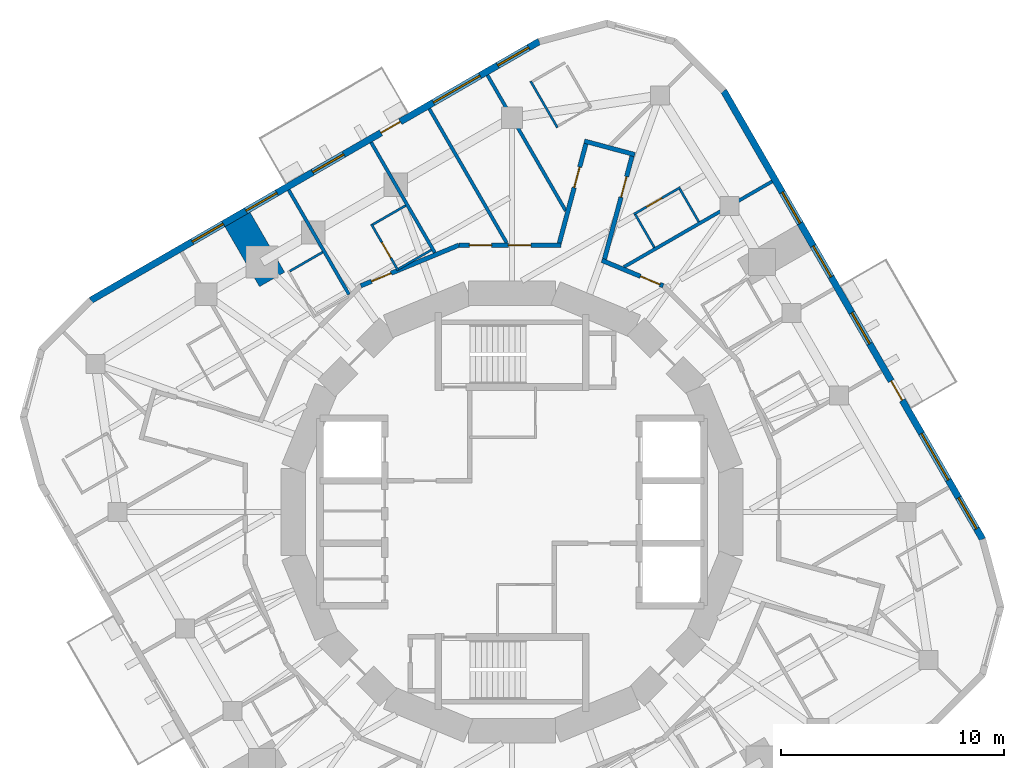
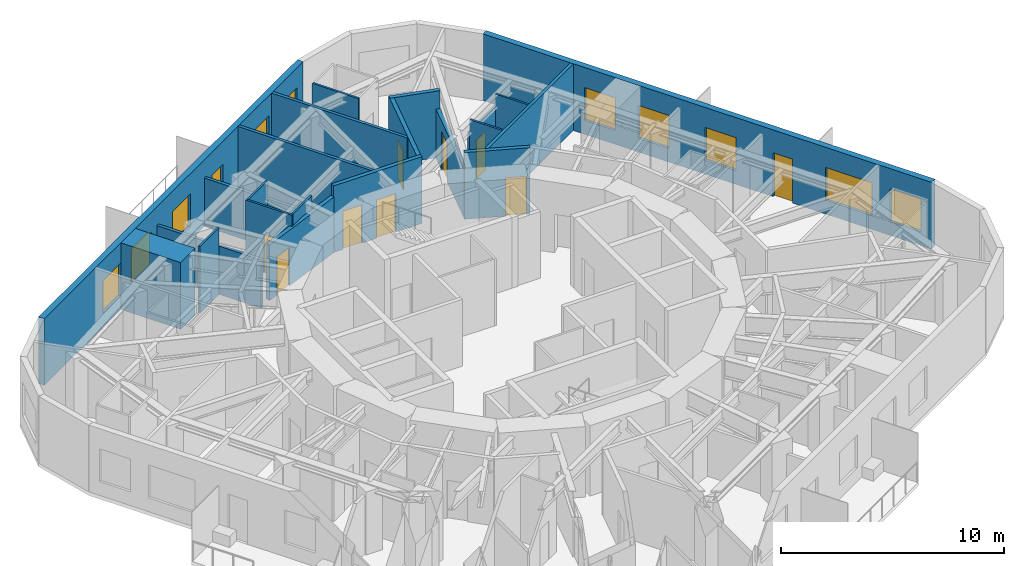
# One storey, part 8 of 11: 22 walls, 10 doors, 10 windows, 20 openings.
"""IFC4 building model written with IfcOpenShell, lengths in metres."""

from ifc_helpers import new_model, si_unit, direction, frame, frame_2d, origin, place, context, subcontext, project, spatial, rectangle, extrude, material, layer, layer_set, type_object, element, fill, save


model = new_model("IFC4")

# Units and contexts
model_context = context("Model", 3, precision=1e-05, world=origin(), true_north=direction((0.0, 1.0)))
body_context = subcontext(model_context, "Body", "Model", "MODEL_VIEW")
ifc_project = project(units=[si_unit("LENGTHUNIT", "METRE"), si_unit("AREAUNIT", "SQUARE_METRE"), si_unit("VOLUMEUNIT", "CUBIC_METRE"), si_unit("PLANEANGLEUNIT", "RADIAN"), si_unit("MASSUNIT", "GRAM", prefix="KILO")], contexts=[model_context])

# Site, building, storey
site_placement = place(None, origin())
site = spatial("IfcSite", under=ifc_project, at=site_placement, CompositionType="ELEMENT")
building_placement = place(site_placement, origin())
building = spatial("IfcBuilding", under=site, at=building_placement, Name="Nakasero Lantern House", CompositionType="ELEMENT")
storey_placement = place(building_placement, frame((0.0, 0.0, 253.89990234375)))
storey = spatial("IfcBuildingStorey", under=building, at=storey_placement, Name="L62", CompositionType="ELEMENT", Elevation=253.89990234375)

# Wall
ifc_material_1 = material(Name="Blockwork", Category="masonry")
ifc_layer_1 = layer(ifc_material_1, 1.300048828125)
ifc_layer_set_1 = layer_set([ifc_layer_1], Name="Column pier 1300")
wall_type_1 = type_object("IfcWallType", Name="Column pier 1300", PredefinedType="PARTITIONING", material=ifc_layer_set_1)
wall_1_placement = place(storey_placement, frame((-10.75048828125, 10.4208984375, 0.0), z_axis=(0.0, 0.0, 1.0), x_axis=(-0.499933790963, 0.866063626216, 0.0)))
element("IfcWall", 1, at=wall_1_placement, inside=storey, type_object=wall_type_1, Name="Column pier L62 PN1-05", PredefinedType="PARTITIONING", context=body_context, shape_type="SweptSolid", body=[
    extrude(rectangle(XDim=3.10009765625, YDim=1.300048828125, at=frame_2d((1.550048828125, 0.0))), origin(), (0.0, 0.0, 1.0), 3.650146484375),
])

# Wall, opening, door
ifc_material_2 = material(Name="Blockwork", Category="masonry")
ifc_layer_2 = layer(ifc_material_2, 0.199951171875)
ifc_layer_set_2 = layer_set([ifc_layer_2], Name="Corridor wall 200")
wall_type_2 = type_object("IfcWallType", Name="Corridor wall 200", PredefinedType="PARTITIONING", material=ifc_layer_set_2)
wall_2_placement = place(storey_placement, frame((-6.773681640625, 10.137451171875, 0.0), z_axis=(0.0, 0.0, 1.0), x_axis=(0.923891735412, 0.382653970627, 0.0)))
wall_2 = element("IfcWall", 2, at=wall_2_placement, inside=storey, type_object=wall_type_2, Name="Corridor wall L62 RC11a", PredefinedType="PARTITIONING", context=body_context, shape_type="SweptSolid", body=[
    extrude(rectangle(XDim=4.757080078125, YDim=0.199951171875, at=frame_2d((2.37841796875, 0.0))), origin(), (0.0, 0.0, 1.0), 3.037841796875),
])
opening_1_placement = place(wall_2_placement, frame((0.52001953125, 0.0, 0.0)))
opening_1 = element("IfcOpeningElement", 3, at=opening_1_placement, cuts=wall_2, Name="Opening D01", PredefinedType="OPENING", context=body_context, shape_type="SweptSolid", body=[
    extrude(rectangle(XDim=0.949951171875, YDim=2.10009765625, at=frame_2d((0.47509765625, 1.050048828125))), frame((0.0, 0.119873046875, 0.0), z_axis=(0.0, -1.0, 0.0), x_axis=(1.0, 0.0, 0.0)), (0.0, 0.0, 1.0), 0.239990234375),
])
ifc_material_3 = material(Name="Timber C24", Category="wood")
door_type_1 = type_object("IfcDoorType", Name="Bedroom door FD30S 950", OperationType="SINGLE_SWING_LEFT", PredefinedType="DOOR", material=ifc_material_3)
door_1_placement = place(opening_1_placement, origin())
door_1 = element("IfcDoor", 4, at=door_1_placement, inside=storey, type_object=door_type_1, Name="Door L62 D1-03", OperationType="SINGLE_SWING_LEFT", OverallHeight=2.10009765625, OverallWidth=0.949951171875, PredefinedType="DOOR", context=body_context, shape_type="SweptSolid", body=[
    extrude(rectangle(XDim=0.949951171875, YDim=2.10009765625, at=frame_2d((0.47509765625, 1.050048828125))), frame((0.0, 0.02490234375, 0.0), z_axis=(0.0, -1.0, 0.0), x_axis=(1.0, 0.0, 0.0)), (0.0, 0.0, 1.0), 0.050048828125),
])
fill(opening_1, door_1)

# Wall, openings, doors
wall_3_placement = place(storey_placement, frame((-2.378662109375, 11.957763671875, 0.0), z_axis=(0.0, 0.0, 1.0), x_axis=(1.0, 0.0, 0.0)))
wall_3 = element("IfcWall", 5, at=wall_3_placement, inside=storey, type_object=wall_type_2, Name="Corridor wall L62 RC12a", PredefinedType="PARTITIONING", context=body_context, shape_type="SweptSolid", body=[
    extrude(rectangle(XDim=4.57861328125, YDim=0.199951171875, at=frame_2d((2.289306640625, 0.0))), origin(), (0.0, 0.0, 1.0), 3.650146484375),
])
opening_2_placement = place(wall_3_placement, frame((2.219970703125, 0.0, 0.0)))
opening_2 = element("IfcOpeningElement", 6, at=opening_2_placement, cuts=wall_3, Name="Opening D03", PredefinedType="OPENING", context=body_context, shape_type="SweptSolid", body=[
    extrude(rectangle(XDim=1.0, YDim=2.10009765625, at=frame_2d((0.5, 1.050048828125))), frame((0.0, 0.119873046875, 0.0), z_axis=(0.0, -1.0, 0.0), x_axis=(1.0, 0.0, 0.0)), (0.0, 0.0, 1.0), 0.239990234375),
])
opening_3_placement = place(wall_3_placement, frame((0.469970703125, 0.0, 0.0)))
opening_3 = element("IfcOpeningElement", 7, at=opening_3_placement, cuts=wall_3, Name="Opening D03", PredefinedType="OPENING", context=body_context, shape_type="SweptSolid", body=[
    extrude(rectangle(XDim=1.0, YDim=2.10009765625, at=frame_2d((0.5, 1.050048828125))), frame((0.0, 0.119873046875, 0.0), z_axis=(0.0, -1.0, 0.0), x_axis=(1.0, 0.0, 0.0)), (0.0, 0.0, 1.0), 0.239990234375),
])
ifc_material_4 = material(Name="Timber C24", Category="wood")
door_type_2 = type_object("IfcDoorType", Name="Lounge door FD30S 1000", OperationType="SINGLE_SWING_LEFT", PredefinedType="DOOR", material=ifc_material_4)
door_2_placement = place(opening_2_placement, origin())
door_2 = element("IfcDoor", 8, at=door_2_placement, inside=storey, type_object=door_type_2, Name="Door L62 DK1", OperationType="SINGLE_SWING_RIGHT", OverallHeight=2.10009765625, OverallWidth=1.0, PredefinedType="DOOR", context=body_context, shape_type="SweptSolid", body=[
    extrude(rectangle(XDim=1.0, YDim=2.10009765625, at=frame_2d((0.5, 1.050048828125))), frame((0.0, 0.02490234375, 0.0), z_axis=(0.0, -1.0, 0.0), x_axis=(1.0, 0.0, 0.0)), (0.0, 0.0, 1.0), 0.050048828125),
])
fill(opening_2, door_2)
door_3_placement = place(opening_3_placement, origin())
door_3 = element("IfcDoor", 9, at=door_3_placement, inside=storey, type_object=door_type_2, Name="Door L62 DK1-1", OperationType="SINGLE_SWING_LEFT", OverallHeight=2.10009765625, OverallWidth=1.0, PredefinedType="DOOR", context=body_context, shape_type="SweptSolid", body=[
    extrude(rectangle(XDim=1.0, YDim=2.10009765625, at=frame_2d((0.5, 1.050048828125))), frame((0.0, 0.02490234375, 0.0), z_axis=(0.0, -1.0, 0.0), x_axis=(1.0, 0.0, 0.0)), (0.0, 0.0, 1.0), 0.050048828125),
])
fill(opening_3, door_3)

# Wall, opening, door
wall_4_placement = place(storey_placement, frame((4.025634765625, 11.275634765625, 0.0), z_axis=(0.0, 0.0, 1.0), x_axis=(0.923890787601, -0.382656259044, 0.0)))
wall_4 = element("IfcWall", 10, at=wall_4_placement, inside=storey, type_object=wall_type_2, Name="Corridor wall L62 RC13a", PredefinedType="PARTITIONING", context=body_context, shape_type="SweptSolid", body=[
    extrude(rectangle(XDim=2.974365234375, YDim=0.199951171875, at=frame_2d((1.4873046875, 0.0))), origin(), (0.0, 0.0, 1.0), 3.650146484375),
])
opening_4_placement = place(wall_4_placement, frame((1.8701171875, 0.0, 0.0)))
opening_4 = element("IfcOpeningElement", 11, at=opening_4_placement, cuts=wall_4, Name="Opening D01", PredefinedType="OPENING", context=body_context, shape_type="SweptSolid", body=[
    extrude(rectangle(XDim=0.949951171875, YDim=2.10009765625, at=frame_2d((0.47509765625, 1.050048828125))), frame((0.0, 0.119873046875, 0.0), z_axis=(0.0, -1.0, 0.0), x_axis=(1.0, 0.0, 0.0)), (0.0, 0.0, 1.0), 0.239990234375),
])
door_4_placement = place(opening_4_placement, origin())
door_4 = element("IfcDoor", 12, at=door_4_placement, inside=storey, type_object=door_type_1, Name="Door L62 D0-04", OperationType="SINGLE_SWING_RIGHT", OverallHeight=2.10009765625, OverallWidth=0.949951171875, PredefinedType="DOOR", context=body_context, shape_type="SweptSolid", body=[
    extrude(rectangle(XDim=0.949951171875, YDim=2.10009765625, at=frame_2d((0.47509765625, 1.050048828125))), frame((0.0, 0.02490234375, 0.0), z_axis=(0.0, -1.0, 0.0), x_axis=(1.0, 0.0, 0.0)), (0.0, 0.0, 1.0), 0.050048828125),
])
fill(opening_4, door_4)

wall_5_placement = place(storey_placement, frame((4.11865234375, 11.237060546875, 0.0), z_axis=(0.0, 0.0, 1.0), x_axis=(0.258827481333, 0.965923565769, 0.0)))
wall_5 = element("IfcWall", 13, at=wall_5_placement, inside=storey, type_object=wall_type_2, Name="Corridor wall L62 SP0a", PredefinedType="PARTITIONING", context=body_context, shape_type="SweptSolid", body=[
    extrude(rectangle(XDim=5.07373046875, YDim=0.199951171875, at=frame_2d((2.536865234375, 0.0))), origin(), (0.0, 0.0, 1.0), 2.669921875),
])
opening_5_placement = place(wall_5_placement, frame((2.969970703125, 0.0, 0.0)))
opening_5 = element("IfcOpeningElement", 14, at=opening_5_placement, cuts=wall_5, Name="Opening D01", PredefinedType="OPENING", context=body_context, shape_type="SweptSolid", body=[
    extrude(rectangle(XDim=0.949951171875, YDim=2.10009765625, at=frame_2d((0.47509765625, 1.050048828125))), frame((0.0, 0.119873046875, 0.0), z_axis=(0.0, -1.0, 0.0), x_axis=(1.0, 0.0, 0.0)), (0.0, 0.0, 1.0), 0.239990234375),
])
door_5_placement = place(opening_5_placement, origin())
door_5 = element("IfcDoor", 15, at=door_5_placement, inside=storey, type_object=door_type_1, Name="Door L62 D0-06", OperationType="SINGLE_SWING_RIGHT", OverallHeight=2.10009765625, OverallWidth=0.949951171875, PredefinedType="DOOR", context=body_context, shape_type="SweptSolid", body=[
    extrude(rectangle(XDim=0.949951171875, YDim=2.10009765625, at=frame_2d((0.47509765625, 1.050048828125))), frame((0.0, 0.02490234375, 0.0), z_axis=(0.0, -1.0, 0.0), x_axis=(1.0, 0.0, 0.0)), (0.0, 0.0, 1.0), 0.050048828125),
])
fill(opening_5, door_5)

wall_6_placement = place(storey_placement, frame((2.096435546875, 11.957763671875, 0.0), z_axis=(0.0, 0.0, 1.0), x_axis=(0.258794186145, 0.965932486884, 0.0)))
wall_6 = element("IfcWall", 16, at=wall_6_placement, inside=storey, type_object=wall_type_2, Name="Corridor wall L62 SP0b", PredefinedType="PARTITIONING", context=body_context, shape_type="SweptSolid", body=[
    extrude(rectangle(XDim=4.90087890625, YDim=0.199951171875, at=frame_2d((2.450439453125, 0.0))), origin(), (0.0, 0.0, 1.0), 3.650146484375),
])
opening_6_placement = place(wall_6_placement, frame((2.669921875, 0.0, 0.0)))
opening_6 = element("IfcOpeningElement", 17, at=opening_6_placement, cuts=wall_6, Name="Opening D01", PredefinedType="OPENING", context=body_context, shape_type="SweptSolid", body=[
    extrude(rectangle(XDim=0.949951171875, YDim=2.10009765625, at=frame_2d((0.47509765625, 1.050048828125))), frame((0.0, 0.119873046875, 0.0), z_axis=(0.0, -1.0, 0.0), x_axis=(1.0, 0.0, 0.0)), (0.0, 0.0, 1.0), 0.239990234375),
])
door_6_placement = place(opening_6_placement, origin())
door_6 = element("IfcDoor", 18, at=door_6_placement, inside=storey, type_object=door_type_1, Name="Door L62 D1-00", OperationType="SINGLE_SWING_RIGHT", OverallHeight=2.10009765625, OverallWidth=0.949951171875, PredefinedType="DOOR", context=body_context, shape_type="SweptSolid", body=[
    extrude(rectangle(XDim=0.949951171875, YDim=2.10009765625, at=frame_2d((0.47509765625, 1.050048828125))), frame((0.0, 0.02490234375, 0.0), z_axis=(0.0, -1.0, 0.0), x_axis=(1.0, 0.0, 0.0)), (0.0, 0.0, 1.0), 0.050048828125),
])
fill(opening_6, door_6)

# Wall
wall_7_placement = place(storey_placement, frame((5.502685546875, 16.015380859375, 0.0), z_axis=(0.0, 0.0, 1.0), x_axis=(-0.965917312786, 0.258850815837, 0.0)))
element("IfcWall", 19, at=wall_7_placement, inside=storey, type_object=wall_type_2, Name="Corridor wall L62 SP0e", PredefinedType="PARTITIONING", context=body_context, shape_type="SweptSolid", body=[
    extrude(rectangle(XDim=2.340087890625, YDim=0.199951171875, at=frame_2d((1.169921875, 0.0))), origin(), (0.0, 0.0, 1.0), 3.650146484375),
])

# Wall, opening, door
ifc_material_5 = material(Name="Blockwork", Category="masonry")
ifc_layer_3 = layer(ifc_material_5, 0.10009765625)
ifc_layer_set_3 = layer_set([ifc_layer_3], Name="En-suite wall 100")
wall_type_3 = type_object("IfcWallType", Name="En-suite wall 100", PredefinedType="PARTITIONING", material=ifc_layer_set_3)
wall_8_placement = place(storey_placement, frame((5.46044921875, 13.342041015625, 0.0), z_axis=(0.0, 0.0, 1.0), x_axis=(0.866006032174, 0.500033551112, 0.0)))
wall_8 = element("IfcWall", 20, at=wall_8_placement, inside=storey, type_object=wall_type_3, Name="En-suite wall L62 ES0-06", PredefinedType="PARTITIONING", context=body_context, shape_type="SweptSolid", body=[
    extrude(rectangle(XDim=2.400146484375, YDim=0.10009765625, at=frame_2d((1.2001953125, 0.0))), origin(), (0.0, 0.0, 1.0), 2.957275390625),
])
opening_7_placement = place(wall_8_placement, frame((0.64990234375, 0.0, 0.0)))
opening_7 = element("IfcOpeningElement", 21, at=opening_7_placement, cuts=wall_8, Name="Opening D02", PredefinedType="OPENING", context=body_context, shape_type="SweptSolid", body=[
    extrude(rectangle(XDim=0.800048828125, YDim=2.10009765625, at=frame_2d((0.39990234375, 1.050048828125))), frame((0.0, 0.070068359375, 0.0), z_axis=(0.0, -1.0, 0.0), x_axis=(1.0, 0.0, 0.0)), (0.0, 0.0, 1.0), 0.14013671875),
])
ifc_material_6 = material(Name="Timber C24", Category="wood")
door_type_3 = type_object("IfcDoorType", Name="En-suite door 800", OperationType="SINGLE_SWING_RIGHT", PredefinedType="DOOR", material=ifc_material_6)
door_7_placement = place(opening_7_placement, origin())
door_7 = element("IfcDoor", 22, at=door_7_placement, inside=storey, type_object=door_type_3, Name="Door L62 DE0-06", OperationType="SINGLE_SWING_LEFT", OverallHeight=2.10009765625, OverallWidth=0.800048828125, PredefinedType="DOOR", context=body_context, shape_type="SweptSolid", body=[
    extrude(rectangle(XDim=0.800048828125, YDim=2.10009765625, at=frame_2d((0.39990234375, 1.050048828125))), frame((0.0, 0.02490234375, 0.0), z_axis=(0.0, -1.0, 0.0), x_axis=(1.0, 0.0, 0.0)), (0.0, 0.0, 1.0), 0.050048828125),
])
fill(opening_7, door_7)

# Walls
for number, where, z_axis, x_axis, name in (
    (23, (8.37060546875, 13.001708984375, 0.0), (0.0, 0.0, 1.0), (-0.499954529098, 0.86605165483, 0.0), "En-suite wall L62 EE0-06"),
    (24, (6.37890625, 11.8515625, 0.0), (0.0, 0.0, 1.0), (-0.500062241894, 0.865989465428, 0.0), "En-suite wall L62 EI0-06"),
):
    element("IfcWall", number, at=place(storey_placement, frame(where, z_axis=z_axis, x_axis=x_axis)), inside=storey, type_object=wall_type_3, Name=name, PredefinedType="PARTITIONING", context=body_context, shape_type="SweptSolid", body=[
        extrude(rectangle(XDim=1.699951171875, YDim=0.10009765625, at=frame_2d((0.85009765625, 0.0))), origin(), (0.0, 0.0, 1.0), 3.650146484375),
    ])
wall_9_placement = place(storey_placement, frame((2.034912109375, 17.225341796875, 0.0), z_axis=(0.0, 0.0, 1.0), x_axis=(-0.500001309137, 0.866024647952, 0.0)))
element("IfcWall", 25, at=wall_9_placement, inside=storey, type_object=wall_type_3, Name="En-suite wall L62 ES1-00", PredefinedType="PARTITIONING", context=body_context, shape_type="SweptSolid", body=[
    extrude(rectangle(XDim=2.39990234375, YDim=0.10009765625, at=frame_2d((1.199951171875, 0.0))), origin(), (0.0, 0.0, 1.0), 3.650146484375),
])

# Wall, opening, door
wall_10_placement = place(storey_placement, frame((-5.104736328125, 10.822509765625, 0.0), z_axis=(0.0, 0.0, 1.0), x_axis=(-0.500001309137, 0.866024647952, 0.0)))
wall_10 = element("IfcWall", 26, at=wall_10_placement, inside=storey, type_object=wall_type_3, Name="En-suite wall L62 ES1-03", PredefinedType="PARTITIONING", context=body_context, shape_type="SweptSolid", body=[
    extrude(rectangle(XDim=2.39990234375, YDim=0.10009765625, at=frame_2d((1.199951171875, 0.0))), origin(), (0.0, 0.0, 1.0), 3.650146484375),
])
opening_8_placement = place(wall_10_placement, frame((0.64990234375, 0.0, 0.0)))
opening_8 = element("IfcOpeningElement", 27, at=opening_8_placement, cuts=wall_10, Name="Opening D02", PredefinedType="OPENING", context=body_context, shape_type="SweptSolid", body=[
    extrude(rectangle(XDim=0.800048828125, YDim=2.10009765625, at=frame_2d((0.39990234375, 1.050048828125))), frame((0.0, 0.070068359375, 0.0), z_axis=(0.0, -1.0, 0.0), x_axis=(1.0, 0.0, 0.0)), (0.0, 0.0, 1.0), 0.14013671875),
])
door_8_placement = place(opening_8_placement, origin())
door_8 = element("IfcDoor", 28, at=door_8_placement, inside=storey, type_object=door_type_3, Name="Door L62 DE1-03", OperationType="SINGLE_SWING_LEFT", OverallHeight=2.10009765625, OverallWidth=0.800048828125, PredefinedType="DOOR", context=body_context, shape_type="SweptSolid", body=[
    extrude(rectangle(XDim=0.800048828125, YDim=2.10009765625, at=frame_2d((0.39990234375, 1.050048828125))), frame((0.0, 0.02490234375, 0.0), z_axis=(0.0, -1.0, 0.0), x_axis=(1.0, 0.0, 0.0)), (0.0, 0.0, 1.0), 0.050048828125),
])
fill(opening_8, door_8)

# Walls
for number, where, z_axis, x_axis, name in (
    (29, (-4.76416015625, 13.732666015625, 0.0), (0.0, 0.0, 1.0), (-0.865989465428, -0.500062241894, 0.0), "En-suite wall L62 EE1-03"),
    (30, (-3.614013671875, 11.74072265625, 0.0), (0.0, 0.0, 1.0), (-0.866087547558, -0.499892348375, 0.0), "En-suite wall L62 EI1-03"),
    (31, (-8.483642578125, 11.642333984375, 0.0), (0.0, 0.0, 1.0), (-0.865989465428, -0.500062241894, 0.0), "En-suite wall L62 EE1-04"),
):
    element("IfcWall", number, at=place(storey_placement, frame(where, z_axis=z_axis, x_axis=x_axis)), inside=storey, type_object=wall_type_3, Name=name, PredefinedType="PARTITIONING", context=body_context, shape_type="SweptSolid", body=[
        extrude(rectangle(XDim=1.699951171875, YDim=0.10009765625, at=frame_2d((0.85009765625, 0.0))), origin(), (0.0, 0.0, 1.0), 3.650146484375),
    ])

# Wall, openings, door, windows
ifc_material_7 = material(Name="Aluminium rainscreen on blockwork", Category="masonry")
ifc_layer_4 = layer(ifc_material_7, 0.300048828125)
ifc_layer_set_4 = layer_set([ifc_layer_4], Name="Facade wall 300")
wall_type_4 = type_object("IfcWallType", Name="Facade wall 300", PredefinedType="SOLIDWALL", material=ifc_layer_set_4)
wall_11_placement = place(storey_placement, frame((21.08544921875, -1.220947265625, 0.0), z_axis=(0.0, 0.0, 1.0), x_axis=(-0.500003016864, 0.86602366199, 0.0)))
wall_11 = element("IfcWall", 32, at=wall_11_placement, inside=storey, type_object=wall_type_4, Name="Facade wall L62 FW0S", PredefinedType="SOLIDWALL", context=body_context, shape_type="SweptSolid", body=[
    extrude(rectangle(XDim=23.199951171875, YDim=0.300048828125, at=frame_2d((11.60009765625, 0.0))), origin(), (0.0, 0.0, 1.0), 3.650146484375),
])
opening_9_placement = place(wall_11_placement, frame((0.5458984375, 0.0, 0.75)))
opening_9 = element("IfcOpeningElement", 33, at=opening_9_placement, cuts=wall_11, Name="Opening W01", PredefinedType="OPENING", context=body_context, shape_type="SweptSolid", body=[
    extrude(rectangle(XDim=1.60009765625, YDim=1.800048828125, at=frame_2d((0.800048828125, 0.89990234375))), frame((0.0, 0.169921875, 0.0), z_axis=(0.0, -1.0, 0.0), x_axis=(1.0, 0.0, 0.0)), (0.0, 0.0, 1.0), 0.340087890625),
])
opening_10_placement = place(wall_11_placement, frame((10.11767578125, 0.0, 0.75)))
opening_10 = element("IfcOpeningElement", 34, at=opening_10_placement, cuts=wall_11, Name="Opening W01", PredefinedType="OPENING", context=body_context, shape_type="SweptSolid", body=[
    extrude(rectangle(XDim=1.60009765625, YDim=1.800048828125, at=frame_2d((0.800048828125, 0.89990234375))), frame((0.0, 0.169921875, 0.0), z_axis=(0.0, -1.0, 0.0), x_axis=(1.0, 0.0, 0.0)), (0.0, 0.0, 1.0), 0.340087890625),
])
opening_11_placement = place(wall_11_placement, frame((13.5751953125, 0.0, 0.75)))
opening_11 = element("IfcOpeningElement", 35, at=opening_11_placement, cuts=wall_11, Name="Opening W01", PredefinedType="OPENING", context=body_context, shape_type="SweptSolid", body=[
    extrude(rectangle(XDim=1.60009765625, YDim=1.800048828125, at=frame_2d((0.800048828125, 0.89990234375))), frame((0.0, 0.169921875, 0.0), z_axis=(0.0, -1.0, 0.0), x_axis=(1.0, 0.0, 0.0)), (0.0, 0.0, 1.0), 0.340087890625),
])
opening_12_placement = place(wall_11_placement, frame((16.349609375, 0.0, 0.75)))
opening_12 = element("IfcOpeningElement", 36, at=opening_12_placement, cuts=wall_11, Name="Opening W01", PredefinedType="OPENING", context=body_context, shape_type="SweptSolid", body=[
    extrude(rectangle(XDim=1.60009765625, YDim=1.800048828125, at=frame_2d((0.800048828125, 0.89990234375))), frame((0.0, 0.169921875, 0.0), z_axis=(0.0, -1.0, 0.0), x_axis=(1.0, 0.0, 0.0)), (0.0, 0.0, 1.0), 0.340087890625),
])
opening_13_placement = place(wall_11_placement, frame((3.071044921875, 0.0, 0.75)))
opening_13 = element("IfcOpeningElement", 37, at=opening_13_placement, cuts=wall_11, Name="Opening W03", PredefinedType="OPENING", context=body_context, shape_type="SweptSolid", body=[
    extrude(rectangle(XDim=2.39990234375, YDim=1.800048828125, at=frame_2d((1.199951171875, 0.89990234375))), frame((0.0, 0.169921875, 0.0), z_axis=(0.0, -1.0, 0.0), x_axis=(1.0, 0.0, 0.0)), (0.0, 0.0, 1.0), 0.340087890625),
])
opening_14_placement = place(wall_11_placement, frame((7.1904296875, 0.0, 0.0)))
opening_14 = element("IfcOpeningElement", 38, at=opening_14_placement, cuts=wall_11, Name="Opening D04", PredefinedType="OPENING", context=body_context, shape_type="SweptSolid", body=[
    extrude(rectangle(XDim=1.0, YDim=2.39990234375, at=frame_2d((0.5, 1.199951171875))), frame((0.0, 0.169921875, 0.0), z_axis=(0.0, -1.0, 0.0), x_axis=(1.0, 0.0, 0.0)), (0.0, 0.0, 1.0), 0.340087890625),
])
ifc_material_8 = material(Name="Aluminium 6063-T6 and glass", Category="aluminium")
door_type_4 = type_object("IfcDoorType", Name="Balcony door 1000x2400", OperationType="SINGLE_SWING_RIGHT", PredefinedType="DOOR", material=ifc_material_8)
door_9_placement = place(opening_14_placement, origin())
door_9 = element("IfcDoor", 39, at=door_9_placement, inside=storey, type_object=door_type_4, Name="Balcony door L62 DB0", OperationType="SINGLE_SWING_RIGHT", OverallHeight=2.39990234375, OverallWidth=1.0, PredefinedType="DOOR", context=body_context, shape_type="SweptSolid", body=[
    extrude(rectangle(XDim=1.0, YDim=2.39990234375, at=frame_2d((0.5, 1.199951171875))), frame((0.0, 0.02490234375, 0.0), z_axis=(0.0, -1.0, 0.0), x_axis=(1.0, 0.0, 0.0)), (0.0, 0.0, 1.0), 0.050048828125),
])
fill(opening_14, door_9)
ifc_material_9 = material(Name="Aluminium 6063-T6 and glass", Category="aluminium")
window_type_1 = type_object("IfcWindowType", Name="Bedroom window 1600x1800", PartitioningType="SINGLE_PANEL", PredefinedType="WINDOW", material=ifc_material_9)
window_1_placement = place(opening_9_placement, origin())
window_1 = element("IfcWindow", 40, at=window_1_placement, inside=storey, type_object=window_type_1, Name="Window L62 WN0-00", OverallHeight=1.800048828125, OverallWidth=1.60009765625, PartitioningType="SINGLE_PANEL", PredefinedType="WINDOW", context=body_context, shape_type="SweptSolid", body=[
    extrude(rectangle(XDim=1.60009765625, YDim=1.800048828125, at=frame_2d((0.800048828125, 0.89990234375))), frame((0.0, 0.030029296875, 0.0), z_axis=(0.0, -1.0, 0.0), x_axis=(1.0, 0.0, 0.0)), (0.0, 0.0, 1.0), 0.06005859375),
])
fill(opening_9, window_1)
window_2_placement = place(opening_10_placement, origin())
window_2 = element("IfcWindow", 41, at=window_2_placement, inside=storey, type_object=window_type_1, Name="Window L62 WN0-03", OverallHeight=1.800048828125, OverallWidth=1.60009765625, PartitioningType="SINGLE_PANEL", PredefinedType="WINDOW", context=body_context, shape_type="SweptSolid", body=[
    extrude(rectangle(XDim=1.60009765625, YDim=1.800048828125, at=frame_2d((0.800048828125, 0.89990234375))), frame((0.0, 0.030029296875, 0.0), z_axis=(0.0, -1.0, 0.0), x_axis=(1.0, 0.0, 0.0)), (0.0, 0.0, 1.0), 0.06005859375),
])
fill(opening_10, window_2)
window_3_placement = place(opening_11_placement, origin())
window_3 = element("IfcWindow", 42, at=window_3_placement, inside=storey, type_object=window_type_1, Name="Window L62 WN0-04", OverallHeight=1.800048828125, OverallWidth=1.60009765625, PartitioningType="SINGLE_PANEL", PredefinedType="WINDOW", context=body_context, shape_type="SweptSolid", body=[
    extrude(rectangle(XDim=1.60009765625, YDim=1.800048828125, at=frame_2d((0.800048828125, 0.89990234375))), frame((0.0, 0.030029296875, 0.0), z_axis=(0.0, -1.0, 0.0), x_axis=(1.0, 0.0, 0.0)), (0.0, 0.0, 1.0), 0.06005859375),
])
fill(opening_11, window_3)
window_4_placement = place(opening_12_placement, origin())
window_4 = element("IfcWindow", 43, at=window_4_placement, inside=storey, type_object=window_type_1, Name="Window L62 WN0-05", OverallHeight=1.800048828125, OverallWidth=1.60009765625, PartitioningType="SINGLE_PANEL", PredefinedType="WINDOW", context=body_context, shape_type="SweptSolid", body=[
    extrude(rectangle(XDim=1.60009765625, YDim=1.800048828125, at=frame_2d((0.800048828125, 0.89990234375))), frame((0.0, 0.030029296875, 0.0), z_axis=(0.0, -1.0, 0.0), x_axis=(1.0, 0.0, 0.0)), (0.0, 0.0, 1.0), 0.06005859375),
])
fill(opening_12, window_4)
ifc_material_10 = material(Name="Aluminium 6063-T6 and glass", Category="aluminium")
window_type_2 = type_object("IfcWindowType", Name="Lounge window 2400x1800", PartitioningType="SINGLE_PANEL", PredefinedType="WINDOW", material=ifc_material_10)
window_5_placement = place(opening_13_placement, origin())
window_5 = element("IfcWindow", 44, at=window_5_placement, inside=storey, type_object=window_type_2, Name="Window L62 WK0", OverallHeight=1.800048828125, OverallWidth=2.39990234375, PartitioningType="SINGLE_PANEL", PredefinedType="WINDOW", context=body_context, shape_type="SweptSolid", body=[
    extrude(rectangle(XDim=2.39990234375, YDim=1.800048828125, at=frame_2d((1.199951171875, 0.89990234375))), frame((0.0, 0.030029296875, 0.0), z_axis=(0.0, -1.0, 0.0), x_axis=(1.0, 0.0, 0.0)), (0.0, 0.0, 1.0), 0.06005859375),
])
fill(opening_13, window_5)

wall_12_placement = place(storey_placement, frame((1.220947265625, 21.08544921875, 0.0), z_axis=(0.0, 0.0, 1.0), x_axis=(-0.86602366199, -0.500003016864, 0.0)))
wall_12 = element("IfcWall", 45, at=wall_12_placement, inside=storey, type_object=wall_type_4, Name="Facade wall L62 FW1S", PredefinedType="SOLIDWALL", context=body_context, shape_type="SweptSolid", body=[
    extrude(rectangle(XDim=23.199951171875, YDim=0.300048828125, at=frame_2d((11.60009765625, 0.0))), origin(), (0.0, 0.0, 1.0), 3.650146484375),
])
opening_15_placement = place(wall_12_placement, frame((0.5458984375, 0.0, 0.75)))
opening_15 = element("IfcOpeningElement", 46, at=opening_15_placement, cuts=wall_12, Name="Opening W01", PredefinedType="OPENING", context=body_context, shape_type="SweptSolid", body=[
    extrude(rectangle(XDim=1.60009765625, YDim=1.800048828125, at=frame_2d((0.800048828125, 0.89990234375))), frame((0.0, 0.169921875, 0.0), z_axis=(0.0, -1.0, 0.0), x_axis=(1.0, 0.0, 0.0)), (0.0, 0.0, 1.0), 0.340087890625),
])
opening_16_placement = place(wall_12_placement, frame((10.11767578125, 0.0, 0.75)))
opening_16 = element("IfcOpeningElement", 47, at=opening_16_placement, cuts=wall_12, Name="Opening W01", PredefinedType="OPENING", context=body_context, shape_type="SweptSolid", body=[
    extrude(rectangle(XDim=1.60009765625, YDim=1.800048828125, at=frame_2d((0.800048828125, 0.89990234375))), frame((0.0, 0.169921875, 0.0), z_axis=(0.0, -1.0, 0.0), x_axis=(1.0, 0.0, 0.0)), (0.0, 0.0, 1.0), 0.340087890625),
])
opening_17_placement = place(wall_12_placement, frame((13.5751953125, 0.0, 0.75)))
opening_17 = element("IfcOpeningElement", 48, at=opening_17_placement, cuts=wall_12, Name="Opening W01", PredefinedType="OPENING", context=body_context, shape_type="SweptSolid", body=[
    extrude(rectangle(XDim=1.60009765625, YDim=1.800048828125, at=frame_2d((0.800048828125, 0.89990234375))), frame((0.0, 0.169921875, 0.0), z_axis=(0.0, -1.0, 0.0), x_axis=(1.0, 0.0, 0.0)), (0.0, 0.0, 1.0), 0.340087890625),
])
opening_18_placement = place(wall_12_placement, frame((16.349609375, 0.0, 0.75)))
opening_18 = element("IfcOpeningElement", 49, at=opening_18_placement, cuts=wall_12, Name="Opening W01", PredefinedType="OPENING", context=body_context, shape_type="SweptSolid", body=[
    extrude(rectangle(XDim=1.60009765625, YDim=1.800048828125, at=frame_2d((0.800048828125, 0.89990234375))), frame((0.0, 0.169921875, 0.0), z_axis=(0.0, -1.0, 0.0), x_axis=(1.0, 0.0, 0.0)), (0.0, 0.0, 1.0), 0.340087890625),
])
opening_19_placement = place(wall_12_placement, frame((3.071044921875, 0.0, 0.75)))
opening_19 = element("IfcOpeningElement", 50, at=opening_19_placement, cuts=wall_12, Name="Opening W03", PredefinedType="OPENING", context=body_context, shape_type="SweptSolid", body=[
    extrude(rectangle(XDim=2.39990234375, YDim=1.800048828125, at=frame_2d((1.199951171875, 0.89990234375))), frame((0.0, 0.169921875, 0.0), z_axis=(0.0, -1.0, 0.0), x_axis=(1.0, 0.0, 0.0)), (0.0, 0.0, 1.0), 0.340087890625),
])
opening_20_placement = place(wall_12_placement, frame((7.1904296875, 0.0, 0.0)))
opening_20 = element("IfcOpeningElement", 51, at=opening_20_placement, cuts=wall_12, Name="Opening D04", PredefinedType="OPENING", context=body_context, shape_type="SweptSolid", body=[
    extrude(rectangle(XDim=1.0, YDim=2.39990234375, at=frame_2d((0.5, 1.199951171875))), frame((0.0, 0.169921875, 0.0), z_axis=(0.0, -1.0, 0.0), x_axis=(1.0, 0.0, 0.0)), (0.0, 0.0, 1.0), 0.340087890625),
])
door_10_placement = place(opening_20_placement, origin())
door_10 = element("IfcDoor", 52, at=door_10_placement, inside=storey, type_object=door_type_4, Name="Balcony door L62 DB1", OperationType="SINGLE_SWING_RIGHT", OverallHeight=2.39990234375, OverallWidth=1.0, PredefinedType="DOOR", context=body_context, shape_type="SweptSolid", body=[
    extrude(rectangle(XDim=1.0, YDim=2.39990234375, at=frame_2d((0.5, 1.199951171875))), frame((0.0, 0.02490234375, 0.0), z_axis=(0.0, -1.0, 0.0), x_axis=(1.0, 0.0, 0.0)), (0.0, 0.0, 1.0), 0.050048828125),
])
fill(opening_20, door_10)
window_6_placement = place(opening_15_placement, origin())
window_6 = element("IfcWindow", 53, at=window_6_placement, inside=storey, type_object=window_type_1, Name="Window L62 WN1-00", OverallHeight=1.800048828125, OverallWidth=1.60009765625, PartitioningType="SINGLE_PANEL", PredefinedType="WINDOW", context=body_context, shape_type="SweptSolid", body=[
    extrude(rectangle(XDim=1.60009765625, YDim=1.800048828125, at=frame_2d((0.800048828125, 0.89990234375))), frame((0.0, 0.030029296875, 0.0), z_axis=(0.0, -1.0, 0.0), x_axis=(1.0, 0.0, 0.0)), (0.0, 0.0, 1.0), 0.06005859375),
])
fill(opening_15, window_6)
window_7_placement = place(opening_16_placement, origin())
window_7 = element("IfcWindow", 54, at=window_7_placement, inside=storey, type_object=window_type_1, Name="Window L62 WN1-03", OverallHeight=1.800048828125, OverallWidth=1.60009765625, PartitioningType="SINGLE_PANEL", PredefinedType="WINDOW", context=body_context, shape_type="SweptSolid", body=[
    extrude(rectangle(XDim=1.60009765625, YDim=1.800048828125, at=frame_2d((0.800048828125, 0.89990234375))), frame((0.0, 0.030029296875, 0.0), z_axis=(0.0, -1.0, 0.0), x_axis=(1.0, 0.0, 0.0)), (0.0, 0.0, 1.0), 0.06005859375),
])
fill(opening_16, window_7)
window_8_placement = place(opening_17_placement, origin())
window_8 = element("IfcWindow", 55, at=window_8_placement, inside=storey, type_object=window_type_1, Name="Window L62 WN1-04", OverallHeight=1.800048828125, OverallWidth=1.60009765625, PartitioningType="SINGLE_PANEL", PredefinedType="WINDOW", context=body_context, shape_type="SweptSolid", body=[
    extrude(rectangle(XDim=1.60009765625, YDim=1.800048828125, at=frame_2d((0.800048828125, 0.89990234375))), frame((0.0, 0.030029296875, 0.0), z_axis=(0.0, -1.0, 0.0), x_axis=(1.0, 0.0, 0.0)), (0.0, 0.0, 1.0), 0.06005859375),
])
fill(opening_17, window_8)
window_9_placement = place(opening_18_placement, origin())
window_9 = element("IfcWindow", 56, at=window_9_placement, inside=storey, type_object=window_type_1, Name="Window L62 WN1-05", OverallHeight=1.800048828125, OverallWidth=1.60009765625, PartitioningType="SINGLE_PANEL", PredefinedType="WINDOW", context=body_context, shape_type="SweptSolid", body=[
    extrude(rectangle(XDim=1.60009765625, YDim=1.800048828125, at=frame_2d((0.800048828125, 0.89990234375))), frame((0.0, 0.030029296875, 0.0), z_axis=(0.0, -1.0, 0.0), x_axis=(1.0, 0.0, 0.0)), (0.0, 0.0, 1.0), 0.06005859375),
])
fill(opening_18, window_9)
window_10_placement = place(opening_19_placement, origin())
window_10 = element("IfcWindow", 57, at=window_10_placement, inside=storey, type_object=window_type_2, Name="Window L62 WK1", OverallHeight=1.800048828125, OverallWidth=2.39990234375, PartitioningType="SINGLE_PANEL", PredefinedType="WINDOW", context=body_context, shape_type="SweptSolid", body=[
    extrude(rectangle(XDim=2.39990234375, YDim=1.800048828125, at=frame_2d((1.199951171875, 0.89990234375))), frame((0.0, 0.030029296875, 0.0), z_axis=(0.0, -1.0, 0.0), x_axis=(1.0, 0.0, 0.0)), (0.0, 0.0, 1.0), 0.06005859375),
])
fill(opening_19, window_10)

# Walls
ifc_material_11 = material(Name="Blockwork", Category="masonry")
ifc_layer_5 = layer(ifc_material_11, 0.14990234375)
ifc_layer_set_5 = layer_set([ifc_layer_5], Name="Party wall 150")
wall_type_5 = type_object("IfcWallType", Name="Party wall 150", PredefinedType="PARTITIONING", material=ifc_layer_set_5)
wall_13_placement = place(storey_placement, frame((5.011474609375, 10.9755859375, 0.0), z_axis=(0.0, 0.0, 1.0), x_axis=(0.866033500054, 0.499985976588, 0.0)))
element("IfcWall", 58, at=wall_13_placement, inside=storey, type_object=wall_type_5, Name="Party wall L62 PW0-06", PredefinedType="PARTITIONING", context=body_context, shape_type="SweptSolid", body=[
    extrude(rectangle(XDim=7.672119140625, YDim=0.14990234375, at=frame_2d((3.8359375, 0.0))), origin(), (0.0, 0.0, 1.0), 3.650146484375),
])
wall_14_placement = place(storey_placement, frame((2.406005859375, 13.499755859375, 0.0), z_axis=(0.0, 0.0, 1.0), x_axis=(-0.500014799677, 0.866016859018, 0.0)))
element("IfcWall", 59, at=wall_14_placement, inside=storey, type_object=wall_type_5, Name="Party wall L62 PW1-01", PredefinedType="PARTITIONING", context=body_context, shape_type="SweptSolid", body=[
    extrude(rectangle(XDim=7.011962890625, YDim=0.14990234375, at=frame_2d((3.505859375, 0.0))), origin(), (0.0, 0.0, 1.0), 3.650146484375),
])
wall_15_placement = place(storey_placement, frame((-0.236083984375, 12.057861328125, 0.0), z_axis=(0.0, 0.0, 1.0), x_axis=(-0.499998569178, 0.866026229868, 0.0)))
element("IfcWall", 60, at=wall_15_placement, inside=storey, type_object=wall_type_5, Name="Party wall L62 PW1-02", PredefinedType="PARTITIONING", context=body_context, shape_type="SweptSolid", body=[
    extrude(rectangle(XDim=6.939453125, YDim=0.14990234375, at=frame_2d((3.4697265625, 0.0))), origin(), (0.0, 0.0, 1.0), 3.650146484375),
])
wall_16_placement = place(storey_placement, frame((-3.457275390625, 11.619140625, 0.0), z_axis=(0.0, 0.0, 1.0), x_axis=(-0.500002556202, 0.866023927955, 0.0)))
element("IfcWall", 61, at=wall_16_placement, inside=storey, type_object=wall_type_5, Name="Party wall L62 PW1-03", PredefinedType="PARTITIONING", context=body_context, shape_type="SweptSolid", body=[
    extrude(rectangle(XDim=5.708984375, YDim=0.14990234375, at=frame_2d((2.8544921875, 0.0))), origin(), (0.0, 0.0, 1.0), 2.650146484375),
])
wall_17_placement = place(storey_placement, frame((-7.3037109375, 9.748779296875, 0.0), z_axis=(0.0, 0.0, 1.0), x_axis=(-0.500030010259, 0.86600807666, 0.0)))
element("IfcWall", 62, at=wall_17_placement, inside=storey, type_object=wall_type_5, Name="Party wall L62 PW1-04", PredefinedType="PARTITIONING", context=body_context, shape_type="SweptSolid", body=[
    extrude(rectangle(XDim=5.405517578125, YDim=0.14990234375, at=frame_2d((2.70263671875, 0.0))), origin(), (0.0, 0.0, 1.0), 2.64208984375),
])

save(model, "model.ifc")
